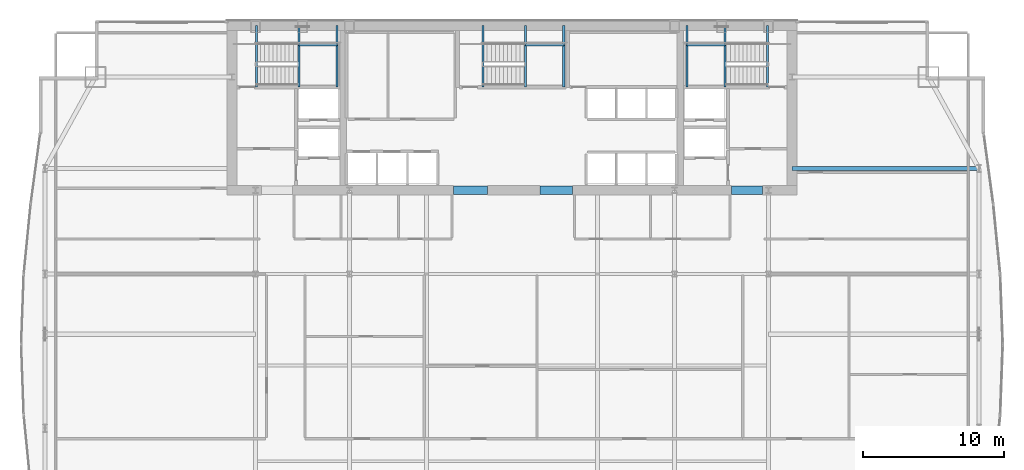
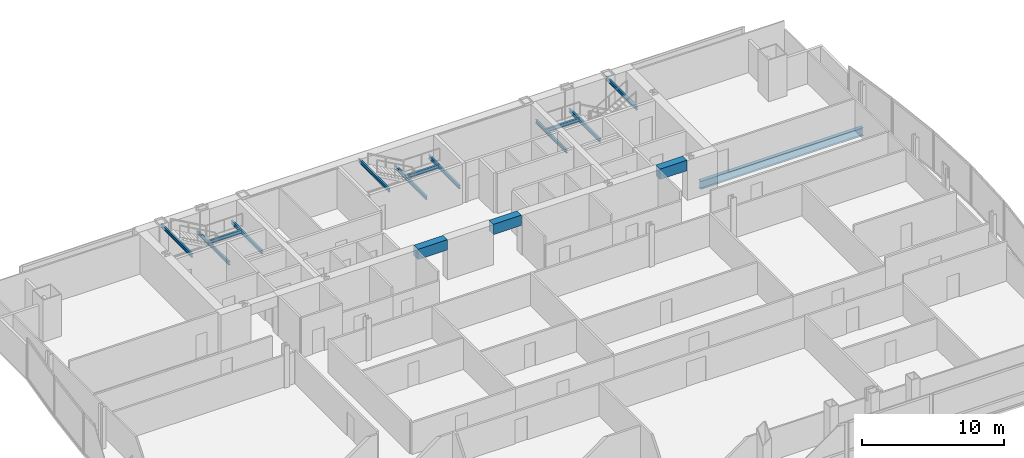
# One storey, part 19 of 32: 16 beams.
"""IFC4 building model written with IfcOpenShell, lengths in metres."""

from ifc_helpers import new_model, si_unit, direction, frame, origin, origin_2d, place, context, subcontext, project, spatial, rectangle, i_section, extrude, material, material_profile, profile_set, type_object, element, save


model = new_model("IFC4")

# Units and contexts
model_context = context("Model", 3, precision=1e-05, world=origin(), true_north=direction((0.0, 1.0)))
body_context = subcontext(model_context, "Body", "Model", "MODEL_VIEW")
ifc_project = project(units=[si_unit("LENGTHUNIT", "METRE"), si_unit("AREAUNIT", "SQUARE_METRE"), si_unit("VOLUMEUNIT", "CUBIC_METRE"), si_unit("PLANEANGLEUNIT", "RADIAN"), si_unit("MASSUNIT", "GRAM", prefix="KILO")], contexts=[model_context])

# Site, building, storey
site_placement = place(None, origin())
site = spatial("IfcSite", under=ifc_project, at=site_placement, CompositionType="ELEMENT")
building_placement = place(site_placement, origin())
building = spatial("IfcBuilding", under=site, at=building_placement, Name="Khoronbel Lancet Exchange", CompositionType="ELEMENT")
storey_placement = place(building_placement, frame((0.0, 0.0, 125.39990234375)))
storey = spatial("IfcBuildingStorey", under=building, at=storey_placement, Name="L30", CompositionType="ELEMENT", Elevation=125.39990234375)

# Beams
ifc_material_1 = material(Name="Steel S355", Category="steel")
ifc_material_profile_1 = material_profile(ifc_material_1, i_section(OverallWidth=0.300048828125, OverallDepth=0.699951171875, WebThickness=0.01708984375, FlangeThickness=0.031982421875, at=origin_2d()), Name="HEB 700")
ifc_profile_set_1 = profile_set([ifc_material_profile_1], Name="Steel S355")
beam_type_1 = type_object("IfcBeamType", Name="BM-BG3", PredefinedType="BEAM", material=ifc_profile_set_1)
beam_1_placement = place(storey_placement, frame((56.35009765625, 43.199951171875, -0.510009765625), z_axis=(1.0, 0.0, 0.0), x_axis=(0.0, 1.0, 0.0)))
element("IfcBeam", 1, at=beam_1_placement, inside=storey, type_object=beam_type_1, Name="Level L30 east lens tie girder LG3E", PredefinedType="BEAM", context=body_context, shape_type="SweptSolid", body=[
    extrude(i_section(OverallWidth=0.300048828125, OverallDepth=0.699951171875, WebThickness=0.01708984375, FlangeThickness=0.031982421875, at=origin_2d()), origin(), (0.0, 0.0, 1.0), 13.27978515625),
])
ifc_material_profile_2 = material_profile(ifc_material_1, i_section(OverallWidth=0.14990234375, OverallDepth=0.300048828125, WebThickness=0.007080078125, FlangeThickness=0.0107421875, at=origin_2d()), Name="IPE 300")
ifc_profile_set_2 = profile_set([ifc_material_profile_2], Name="Steel S355")
beam_type_2 = type_object("IfcBeamType", Name="BM-BJ8", PredefinedType="JOIST", material=ifc_profile_set_2)
for number, where, z_axis, x_axis, name in (
    (2, (21.320068359375, 48.97998046875, 1.4501953125), (0.0, 1.0, 0.0), (-1.0, 0.0, 0.0), "Level L30 stair ST1 landing bearer beam 1"),
    (3, (24.030029296875, 48.97998046875, 1.4501953125), (0.0, 1.0, 0.0), (-1.0, 0.0, 0.0), "Level L30 stair ST1 rear landing bearer beam 1"),
):
    element("IfcBeam", number, at=place(storey_placement, frame(where, z_axis=z_axis, x_axis=x_axis)), inside=storey, type_object=beam_type_2, Name=name, PredefinedType="JOIST", context=body_context, shape_type="SweptSolid", body=[
        extrude(i_section(OverallWidth=0.14990234375, OverallDepth=0.300048828125, WebThickness=0.007080078125, FlangeThickness=0.0107421875, at=origin_2d()), origin(), (0.0, 0.0, 1.0), 4.3701171875),
    ])
beam_2_placement = place(storey_placement, frame((21.320068359375, 51.97998046875, 1.4501953125), z_axis=(1.0, 0.0, 0.0), x_axis=(0.0, 1.0, 0.0)))
element("IfcBeam", 4, at=beam_2_placement, inside=storey, type_object=beam_type_2, Name="Level L30 stair ST1 landing cross trimmer beam 1", PredefinedType="JOIST", context=body_context, shape_type="SweptSolid", body=[
    extrude(i_section(OverallWidth=0.14990234375, OverallDepth=0.300048828125, WebThickness=0.007080078125, FlangeThickness=0.0107421875, at=origin_2d()), origin(), (0.0, 0.0, 1.0), 2.7099609375),
])
for number, where, z_axis, x_axis, name in (
    (5, (18.300048828125, 48.97998046875, 3.16015625), (0.0, 1.0, 0.0), (-1.0, 0.0, 0.0), "Level L30 stair ST1 upper-flight arrival trimmer beam"),
    (6, (51.580078125, 48.97998046875, 1.4501953125), (0.0, 1.0, 0.0), (-1.0, 0.0, 0.0), "Level L30 stair ST2 landing bearer beam 1"),
    (7, (48.8701171875, 48.97998046875, 1.4501953125), (0.0, 1.0, 0.0), (-1.0, 0.0, 0.0), "Level L30 stair ST2 rear landing bearer beam 1"),
):
    element("IfcBeam", number, at=place(storey_placement, frame(where, z_axis=z_axis, x_axis=x_axis)), inside=storey, type_object=beam_type_2, Name=name, PredefinedType="JOIST", context=body_context, shape_type="SweptSolid", body=[
        extrude(i_section(OverallWidth=0.14990234375, OverallDepth=0.300048828125, WebThickness=0.007080078125, FlangeThickness=0.0107421875, at=origin_2d()), origin(), (0.0, 0.0, 1.0), 4.3701171875),
    ])
beam_3_placement = place(storey_placement, frame((48.8701171875, 51.97998046875, 1.4501953125), z_axis=(1.0, 0.0, 0.0), x_axis=(0.0, 1.0, 0.0)))
element("IfcBeam", 8, at=beam_3_placement, inside=storey, type_object=beam_type_2, Name="Level L30 stair ST2 landing cross trimmer beam 1", PredefinedType="JOIST", context=body_context, shape_type="SweptSolid", body=[
    extrude(i_section(OverallWidth=0.14990234375, OverallDepth=0.300048828125, WebThickness=0.007080078125, FlangeThickness=0.0107421875, at=origin_2d()), origin(), (0.0, 0.0, 1.0), 2.7099609375),
])
for number, where, z_axis, x_axis, name in (
    (9, (54.60009765625, 48.97998046875, 3.16015625), (0.0, 1.0, 0.0), (-1.0, 0.0, 0.0), "Level L30 stair ST2 upper-flight arrival trimmer beam"),
    (10, (37.419921875, 48.97998046875, 1.4501953125), (0.0, 1.0, 0.0), (-1.0, 0.0, 0.0), "Level L30 stair ST3 landing bearer beam 1"),
    (11, (40.1298828125, 48.97998046875, 1.4501953125), (0.0, 1.0, 0.0), (-1.0, 0.0, 0.0), "Level L30 stair ST3 rear landing bearer beam 1"),
):
    element("IfcBeam", number, at=place(storey_placement, frame(where, z_axis=z_axis, x_axis=x_axis)), inside=storey, type_object=beam_type_2, Name=name, PredefinedType="JOIST", context=body_context, shape_type="SweptSolid", body=[
        extrude(i_section(OverallWidth=0.14990234375, OverallDepth=0.300048828125, WebThickness=0.007080078125, FlangeThickness=0.0107421875, at=origin_2d()), origin(), (0.0, 0.0, 1.0), 4.3701171875),
    ])
beam_4_placement = place(storey_placement, frame((37.419921875, 51.97998046875, 1.4501953125), z_axis=(1.0, 0.0, 0.0), x_axis=(0.0, 1.0, 0.0)))
element("IfcBeam", 12, at=beam_4_placement, inside=storey, type_object=beam_type_2, Name="Level L30 stair ST3 landing cross trimmer beam 1", PredefinedType="JOIST", context=body_context, shape_type="SweptSolid", body=[
    extrude(i_section(OverallWidth=0.14990234375, OverallDepth=0.300048828125, WebThickness=0.007080078125, FlangeThickness=0.0107421875, at=origin_2d()), origin(), (0.0, 0.0, 1.0), 2.7099609375),
])
beam_5_placement = place(storey_placement, frame((34.39990234375, 48.97998046875, 3.16015625), z_axis=(0.0, 1.0, 0.0), x_axis=(-1.0, 0.0, 0.0)))
element("IfcBeam", 13, at=beam_5_placement, inside=storey, type_object=beam_type_2, Name="Level L30 stair ST3 upper-flight arrival trimmer beam", PredefinedType="JOIST", context=body_context, shape_type="SweptSolid", body=[
    extrude(i_section(OverallWidth=0.14990234375, OverallDepth=0.300048828125, WebThickness=0.007080078125, FlangeThickness=0.0107421875, at=origin_2d()), origin(), (0.0, 0.0, 1.0), 4.3701171875),
])
ifc_material_2 = material(Name="Concrete C80/95", Category="concrete")
ifc_material_profile_3 = material_profile(ifc_material_2, rectangle(XDim=0.60009765625, YDim=0.89990234375, at=origin_2d()), Name="RC 600x900")
ifc_profile_set_3 = profile_set([ifc_material_profile_3], Name="Concrete C80/95")
beam_type_3 = type_object("IfcBeamType", Name="BM-BL1", PredefinedType="LINTEL", material=ifc_profile_set_3)
beam_6_placement = place(storey_placement, frame((32.300048828125, 41.64990234375, 2.989990234375), z_axis=(1.0, 0.0, 0.0), x_axis=(0.0, 1.0, 0.0)))
element("IfcBeam", 14, at=beam_6_placement, inside=storey, type_object=beam_type_3, Name="Level L30 rear core coupling lintel L2", PredefinedType="LINTEL", context=body_context, shape_type="SweptSolid", body=[
    extrude(rectangle(XDim=0.60009765625, YDim=0.89990234375, at=origin_2d()), origin(), (0.0, 0.0, 1.0), 2.39990234375),
])
beam_7_placement = place(storey_placement, frame((38.449951171875, 41.64990234375, 2.989990234375), z_axis=(1.0, 0.0, 0.0), x_axis=(0.0, 1.0, 0.0)))
element("IfcBeam", 15, at=beam_7_placement, inside=storey, type_object=beam_type_3, Name="Level L30 rear core coupling lintel L3", PredefinedType="LINTEL", context=body_context, shape_type="SweptSolid", body=[
    extrude(rectangle(XDim=0.60009765625, YDim=0.89990234375, at=origin_2d()), origin(), (0.0, 0.0, 1.0), 2.300048828125),
])
beam_8_placement = place(storey_placement, frame((52.050048828125, 41.64990234375, 2.989990234375), z_axis=(1.0, 0.0, 0.0), x_axis=(0.0, 1.0, 0.0)))
element("IfcBeam", 16, at=beam_8_placement, inside=storey, type_object=beam_type_3, Name="Level L30 rear core coupling lintel L4", PredefinedType="LINTEL", context=body_context, shape_type="SweptSolid", body=[
    extrude(rectangle(XDim=0.60009765625, YDim=0.89990234375, at=origin_2d()), origin(), (0.0, 0.0, 1.0), 2.199951171875),
])

save(model, "model.ifc")
